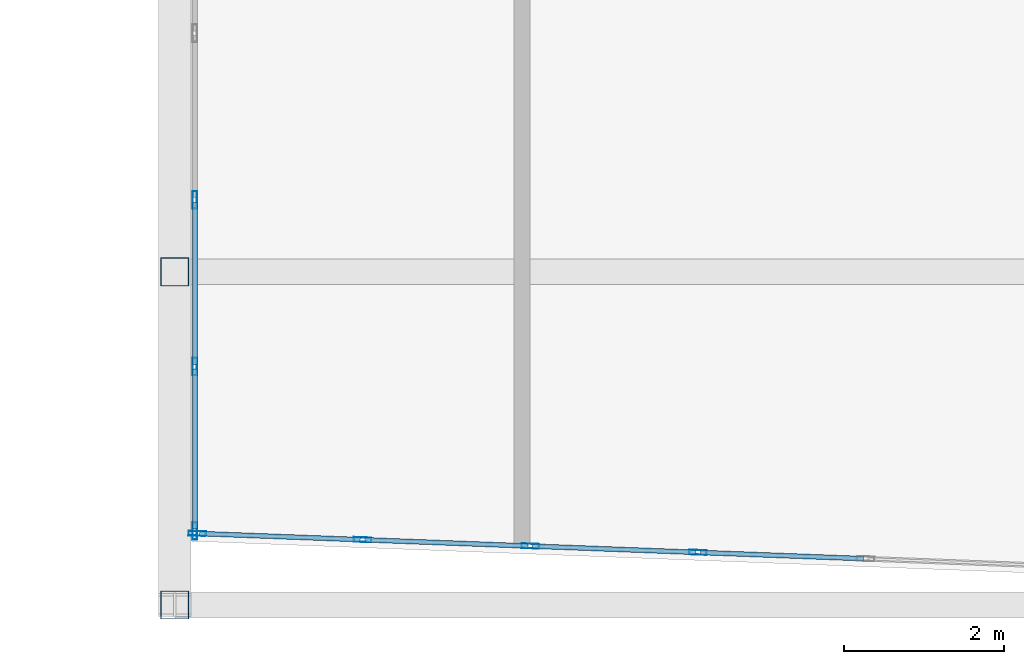
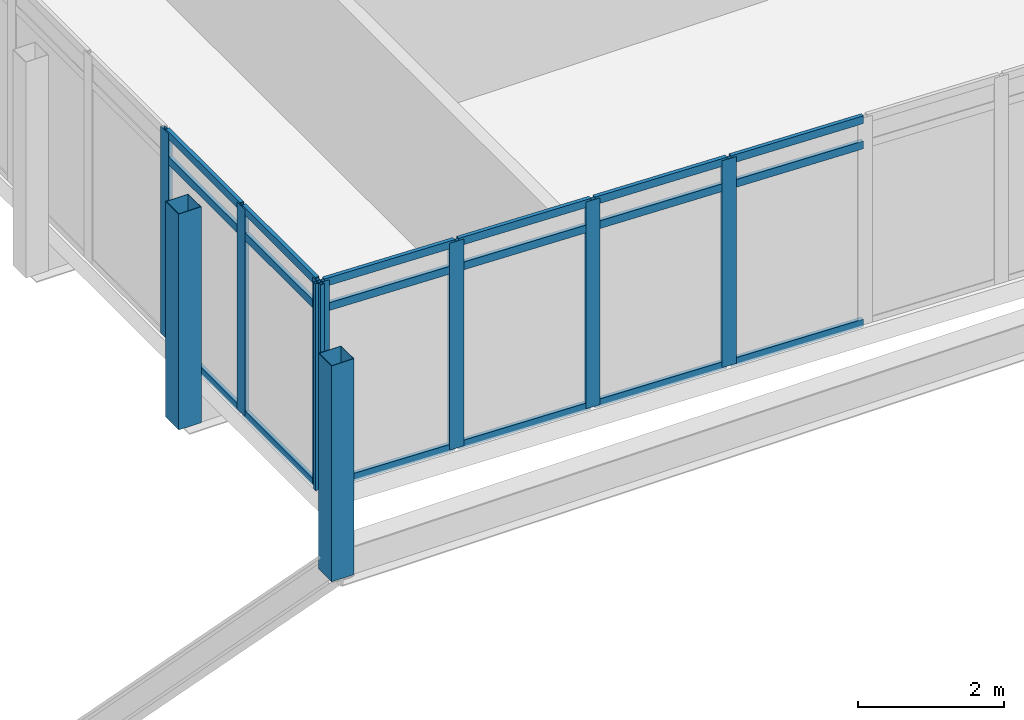
# One storey, part 2 of 34: 27 members, 2 elements without a shape of their own.
"""IFC4 building model written with IfcOpenShell, lengths in metres."""

from ifc_helpers import new_model, si_unit, direction, frame, origin, origin_2d, place, context, subcontext, project, spatial, hollow_rectangle, extrude, material, material_profile, profile_set, type_object, element, aggregate, save


model = new_model("IFC4")

# Units and contexts
model_context = context("Model", 3, precision=1e-05, world=origin(), true_north=direction((0.0, 1.0)))
body_context = subcontext(model_context, "Body", "Model", "MODEL_VIEW")
ifc_project = project(units=[si_unit("LENGTHUNIT", "METRE"), si_unit("AREAUNIT", "SQUARE_METRE"), si_unit("VOLUMEUNIT", "CUBIC_METRE"), si_unit("PLANEANGLEUNIT", "RADIAN"), si_unit("MASSUNIT", "GRAM", prefix="KILO")], contexts=[model_context])

# Site, building, storey
site_placement = place(None, origin())
site = spatial("IfcSite", under=ifc_project, at=site_placement, CompositionType="ELEMENT")
building_placement = place(site_placement, origin())
building = spatial("IfcBuilding", under=site, at=building_placement, Name="Ostrander Bayou Hotel Tower", CompositionType="ELEMENT")
storey_placement = place(building_placement, frame((0.0, 0.0, 222.0)))
storey = spatial("IfcBuildingStorey", under=building, at=storey_placement, Name="L55", CompositionType="ELEMENT", Elevation=222.0)

# Curtain wall, members
ifc_material_1 = material(Name="Aluminium and clear glass", Category="aluminium")
curtain_wall_type = type_object("IfcCurtainWallType", Name="CW-BAR glazed wall", PredefinedType="NOTDEFINED", material=ifc_material_1)
curtain_wall_1_placement = place(storey_placement, origin())
curtain_wall_1 = element("IfcCurtainWall", 1, at=curtain_wall_1_placement, inside=storey, type_object=curtain_wall_type, Name="CW-BAR L55:SB5S:E", PredefinedType="NOTDEFINED")
ifc_material_2 = material(Name="Aluminium", Category="aluminium")
ifc_material_profile_1 = material_profile(ifc_material_2, hollow_rectangle(XDim=0.06005859375, YDim=0.219970703125, WallThickness=0.00390625, at=origin_2d()))
ifc_profile_set_1 = profile_set([ifc_material_profile_1], Name="Aluminium")
member_type_1 = type_object("IfcMemberType", Name="CW-BR mullion 60 x 220 mm", PredefinedType="MULLION", material=ifc_profile_set_1)
member_1_placement = place(storey_placement, frame((-10.51220703125, -24.422607421875, 0.0), z_axis=(0.0, 0.0, 1.0), x_axis=(1.0, 0.0, 0.0)))
member_1 = element("IfcMember", 2, at=member_1_placement, type_object=member_type_1, Name="CW-BAR mullion 8", PredefinedType="MULLION", context=body_context, shape_type="SweptSolid", body=[
    extrude(hollow_rectangle(XDim=0.06005859375, YDim=0.219970703125, WallThickness=0.00390625, at=origin_2d()), origin(), (0.0, 0.0, 1.0), 3.449951171875),
])
member_2_placement = place(storey_placement, frame((-10.51220703125, -26.5126953125, 0.0), z_axis=(0.0, 0.0, 1.0), x_axis=(1.0, 0.0, 0.0)))
member_2 = element("IfcMember", 3, at=member_2_placement, type_object=member_type_1, Name="CW-BAR mullion 9", PredefinedType="MULLION", context=body_context, shape_type="SweptSolid", body=[
    extrude(hollow_rectangle(XDim=0.06005859375, YDim=0.219970703125, WallThickness=0.00390625, at=origin_2d()), origin(), (0.0, 0.0, 1.0), 3.449951171875),
])
member_3_placement = place(storey_placement, frame((-10.51220703125, -28.57275390625, 0.0), z_axis=(0.0, 0.0, 1.0), x_axis=(1.0, 0.0, 0.0)))
member_3 = element("IfcMember", 4, at=member_3_placement, type_object=member_type_1, Name="CW-BAR mullion 10", PredefinedType="MULLION", context=body_context, shape_type="SweptSolid", body=[
    extrude(hollow_rectangle(XDim=0.06005859375, YDim=0.219970703125, WallThickness=0.00390625, at=origin_2d()), origin(), (0.0, 0.0, 1.0), 3.449951171875),
])

curtain_wall_2_placement = place(storey_placement, origin())
curtain_wall_2 = element("IfcCurtainWall", 5, at=curtain_wall_2_placement, inside=storey, type_object=curtain_wall_type, Name="CW-BAR L55:SB5S:T", PredefinedType="NOTDEFINED")
member_4_placement = place(storey_placement, frame((-10.482177734375, -28.60400390625, 0.0), z_axis=(0.0, 0.0, 1.0), x_axis=(0.037757725854, 0.99928692283, 0.0)))
member_4 = element("IfcMember", 6, at=member_4_placement, type_object=member_type_1, Name="CW-BAR mullion 1", PredefinedType="MULLION", context=body_context, shape_type="SweptSolid", body=[
    extrude(hollow_rectangle(XDim=0.06005859375, YDim=0.219970703125, WallThickness=0.00390625, at=origin_2d()), origin(), (0.0, 0.0, 1.0), 3.449951171875),
])
member_5_placement = place(storey_placement, frame((-8.40966796875, -28.68212890625, 0.0), z_axis=(0.0, 0.0, 1.0), x_axis=(0.037757725854, 0.99928692283, 0.0)))
member_5 = element("IfcMember", 7, at=member_5_placement, type_object=member_type_1, Name="CW-BAR mullion 2", PredefinedType="MULLION", context=body_context, shape_type="SweptSolid", body=[
    extrude(hollow_rectangle(XDim=0.06005859375, YDim=0.219970703125, WallThickness=0.00390625, at=origin_2d()), origin(), (0.0, 0.0, 1.0), 3.449951171875),
])
member_6_placement = place(storey_placement, frame((-6.307373046875, -28.76171875, 0.0), z_axis=(0.0, 0.0, 1.0), x_axis=(0.037757725854, 0.99928692283, 0.0)))
member_6 = element("IfcMember", 8, at=member_6_placement, type_object=member_type_1, Name="CW-BAR mullion 3", PredefinedType="MULLION", context=body_context, shape_type="SweptSolid", body=[
    extrude(hollow_rectangle(XDim=0.06005859375, YDim=0.219970703125, WallThickness=0.00390625, at=origin_2d()), origin(), (0.0, 0.0, 1.0), 3.449951171875),
])
member_7_placement = place(storey_placement, frame((-4.204833984375, -28.841064453125, 0.0), z_axis=(0.0, 0.0, 1.0), x_axis=(0.037757725854, 0.99928692283, 0.0)))
member_7 = element("IfcMember", 9, at=member_7_placement, type_object=member_type_1, Name="CW-BAR mullion 4", PredefinedType="MULLION", context=body_context, shape_type="SweptSolid", body=[
    extrude(hollow_rectangle(XDim=0.06005859375, YDim=0.219970703125, WallThickness=0.00390625, at=origin_2d()), origin(), (0.0, 0.0, 1.0), 3.449951171875),
])

# Member
ifc_material_3 = material(Name="Aluminium", Category="aluminium")
ifc_material_profile_2 = material_profile(ifc_material_3, hollow_rectangle(XDim=0.06005859375, YDim=0.1298828125, WallThickness=0.00390625, at=origin_2d()))
ifc_profile_set_2 = profile_set([ifc_material_profile_2], Name="Aluminium")
member_type_2 = type_object("IfcMemberType", Name="CW-BR transom 60 x 130 mm", PredefinedType="USERDEFINED", material=ifc_profile_set_2)
member_8_placement = place(storey_placement, frame((-10.51220703125, -24.45263671875, 0.030029296875), z_axis=(0.0, -1.0, 0.0), x_axis=(1.0, 0.0, 0.0)))
member_8 = element("IfcMember", 10, at=member_8_placement, type_object=member_type_2, Name="CW-BAR transom 8.1", ObjectType="TRANSOM", PredefinedType="USERDEFINED", context=body_context, shape_type="SweptSolid", body=[
    extrude(hollow_rectangle(XDim=0.06005859375, YDim=0.1298828125, WallThickness=0.00390625, at=origin_2d()), origin(), (0.0, 0.0, 1.0), 2.030029296875),
])

member_9_placement = place(storey_placement, frame((-10.51220703125, -24.45263671875, 3.0), z_axis=(0.0, -1.0, 0.0), x_axis=(1.0, 0.0, 0.0)))
member_9 = element("IfcMember", 11, at=member_9_placement, type_object=member_type_2, Name="CW-BAR transom 8.2", ObjectType="TRANSOM", PredefinedType="USERDEFINED", context=body_context, shape_type="SweptSolid", body=[
    extrude(hollow_rectangle(XDim=0.06005859375, YDim=0.1298828125, WallThickness=0.00390625, at=origin_2d()), origin(), (0.0, 0.0, 1.0), 2.030029296875),
])

member_10_placement = place(storey_placement, frame((-10.51220703125, -24.45263671875, 3.419921875), z_axis=(0.0, -1.0, 0.0), x_axis=(1.0, 0.0, 0.0)))
member_10 = element("IfcMember", 12, at=member_10_placement, type_object=member_type_2, Name="CW-BAR transom 8.3", ObjectType="TRANSOM", PredefinedType="USERDEFINED", context=body_context, shape_type="SweptSolid", body=[
    extrude(hollow_rectangle(XDim=0.06005859375, YDim=0.1298828125, WallThickness=0.00390625, at=origin_2d()), origin(), (0.0, 0.0, 1.0), 2.030029296875),
])

member_11_placement = place(storey_placement, frame((-10.51220703125, -26.542724609375, 0.030029296875), z_axis=(0.0, -1.0, 0.0), x_axis=(1.0, 0.0, 0.0)))
member_11 = element("IfcMember", 13, at=member_11_placement, type_object=member_type_2, Name="CW-BAR transom 9.1", ObjectType="TRANSOM", PredefinedType="USERDEFINED", context=body_context, shape_type="SweptSolid", body=[
    extrude(hollow_rectangle(XDim=0.06005859375, YDim=0.1298828125, WallThickness=0.00390625, at=origin_2d()), origin(), (0.0, 0.0, 1.0), 2.0),
])

member_12_placement = place(storey_placement, frame((-10.51220703125, -26.542724609375, 3.0), z_axis=(0.0, -1.0, 0.0), x_axis=(1.0, 0.0, 0.0)))
member_12 = element("IfcMember", 14, at=member_12_placement, type_object=member_type_2, Name="CW-BAR transom 9.2", ObjectType="TRANSOM", PredefinedType="USERDEFINED", context=body_context, shape_type="SweptSolid", body=[
    extrude(hollow_rectangle(XDim=0.06005859375, YDim=0.1298828125, WallThickness=0.00390625, at=origin_2d()), origin(), (0.0, 0.0, 1.0), 2.0),
])

member_13_placement = place(storey_placement, frame((-10.51220703125, -26.542724609375, 3.419921875), z_axis=(0.0, -1.0, 0.0), x_axis=(1.0, 0.0, 0.0)))
member_13 = element("IfcMember", 15, at=member_13_placement, type_object=member_type_2, Name="CW-BAR transom 9.3", ObjectType="TRANSOM", PredefinedType="USERDEFINED", context=body_context, shape_type="SweptSolid", body=[
    extrude(hollow_rectangle(XDim=0.06005859375, YDim=0.1298828125, WallThickness=0.00390625, at=origin_2d()), origin(), (0.0, 0.0, 1.0), 2.0),
])

aggregate(curtain_wall_1, [member_1, member_2, member_3, member_8, member_9, member_10, member_11, member_12, member_13])

member_14_placement = place(storey_placement, frame((-10.4521484375, -28.60498046875, 0.030029296875), z_axis=(0.999284446259, -0.0378232133, 0.0), x_axis=(0.0378232133, 0.999284446259, 0.0)))
member_14 = element("IfcMember", 16, at=member_14_placement, type_object=member_type_2, Name="CW-BAR transom 1.1", ObjectType="TRANSOM", PredefinedType="USERDEFINED", context=body_context, shape_type="SweptSolid", body=[
    extrude(hollow_rectangle(XDim=0.06005859375, YDim=0.1298828125, WallThickness=0.00390625, at=origin_2d()), origin(), (0.0, 0.0, 1.0), 2.013916015625),
])

member_15_placement = place(storey_placement, frame((-10.4521484375, -28.60498046875, 3.0), z_axis=(0.999284446259, -0.0378232133, 0.0), x_axis=(0.0378232133, 0.999284446259, 0.0)))
member_15 = element("IfcMember", 17, at=member_15_placement, type_object=member_type_2, Name="CW-BAR transom 1.2", ObjectType="TRANSOM", PredefinedType="USERDEFINED", context=body_context, shape_type="SweptSolid", body=[
    extrude(hollow_rectangle(XDim=0.06005859375, YDim=0.1298828125, WallThickness=0.00390625, at=origin_2d()), origin(), (0.0, 0.0, 1.0), 2.013916015625),
])

member_16_placement = place(storey_placement, frame((-10.4521484375, -28.60498046875, 3.419921875), z_axis=(0.999284446259, -0.0378232133, 0.0), x_axis=(0.0378232133, 0.999284446259, 0.0)))
member_16 = element("IfcMember", 18, at=member_16_placement, type_object=member_type_2, Name="CW-BAR transom 1.3", ObjectType="TRANSOM", PredefinedType="USERDEFINED", context=body_context, shape_type="SweptSolid", body=[
    extrude(hollow_rectangle(XDim=0.06005859375, YDim=0.1298828125, WallThickness=0.00390625, at=origin_2d()), origin(), (0.0, 0.0, 1.0), 2.013916015625),
])

member_17_placement = place(storey_placement, frame((-8.3798828125, -28.683349609375, 0.030029296875), z_axis=(0.999287402917, -0.037745017849, 0.0), x_axis=(0.037745017849, 0.999287402917, 0.0)))
member_17 = element("IfcMember", 19, at=member_17_placement, type_object=member_type_2, Name="CW-BAR transom 2.1", ObjectType="TRANSOM", PredefinedType="USERDEFINED", context=body_context, shape_type="SweptSolid", body=[
    extrude(hollow_rectangle(XDim=0.06005859375, YDim=0.1298828125, WallThickness=0.00390625, at=origin_2d()), origin(), (0.0, 0.0, 1.0), 2.0439453125),
])

member_18_placement = place(storey_placement, frame((-8.3798828125, -28.683349609375, 3.0), z_axis=(0.999287402917, -0.037745017849, 0.0), x_axis=(0.037745017849, 0.999287402917, 0.0)))
member_18 = element("IfcMember", 20, at=member_18_placement, type_object=member_type_2, Name="CW-BAR transom 2.2", ObjectType="TRANSOM", PredefinedType="USERDEFINED", context=body_context, shape_type="SweptSolid", body=[
    extrude(hollow_rectangle(XDim=0.06005859375, YDim=0.1298828125, WallThickness=0.00390625, at=origin_2d()), origin(), (0.0, 0.0, 1.0), 2.0439453125),
])

member_19_placement = place(storey_placement, frame((-8.3798828125, -28.683349609375, 3.419921875), z_axis=(0.999287402917, -0.037745017849, 0.0), x_axis=(0.037745017849, 0.999287402917, 0.0)))
member_19 = element("IfcMember", 21, at=member_19_placement, type_object=member_type_2, Name="CW-BAR transom 2.3", ObjectType="TRANSOM", PredefinedType="USERDEFINED", context=body_context, shape_type="SweptSolid", body=[
    extrude(hollow_rectangle(XDim=0.06005859375, YDim=0.1298828125, WallThickness=0.00390625, at=origin_2d()), origin(), (0.0, 0.0, 1.0), 2.0439453125),
])

member_20_placement = place(storey_placement, frame((-6.27734375, -28.7626953125, 0.030029296875), z_axis=(0.99928289053, -0.037864293127, 0.0), x_axis=(0.037864293127, 0.99928289053, 0.0)))
member_20 = element("IfcMember", 22, at=member_20_placement, type_object=member_type_2, Name="CW-BAR transom 3.1", ObjectType="TRANSOM", PredefinedType="USERDEFINED", context=body_context, shape_type="SweptSolid", body=[
    extrude(hollow_rectangle(XDim=0.06005859375, YDim=0.1298828125, WallThickness=0.00390625, at=origin_2d()), origin(), (0.0, 0.0, 1.0), 2.0439453125),
])

member_21_placement = place(storey_placement, frame((-6.27734375, -28.7626953125, 3.0), z_axis=(0.99928289053, -0.037864293127, 0.0), x_axis=(0.037864293127, 0.99928289053, 0.0)))
member_21 = element("IfcMember", 23, at=member_21_placement, type_object=member_type_2, Name="CW-BAR transom 3.2", ObjectType="TRANSOM", PredefinedType="USERDEFINED", context=body_context, shape_type="SweptSolid", body=[
    extrude(hollow_rectangle(XDim=0.06005859375, YDim=0.1298828125, WallThickness=0.00390625, at=origin_2d()), origin(), (0.0, 0.0, 1.0), 2.0439453125),
])

member_22_placement = place(storey_placement, frame((-6.27734375, -28.7626953125, 3.419921875), z_axis=(0.99928289053, -0.037864293127, 0.0), x_axis=(0.037864293127, 0.99928289053, 0.0)))
member_22 = element("IfcMember", 24, at=member_22_placement, type_object=member_type_2, Name="CW-BAR transom 3.3", ObjectType="TRANSOM", PredefinedType="USERDEFINED", context=body_context, shape_type="SweptSolid", body=[
    extrude(hollow_rectangle(XDim=0.06005859375, YDim=0.1298828125, WallThickness=0.00390625, at=origin_2d()), origin(), (0.0, 0.0, 1.0), 2.0439453125),
])

member_23_placement = place(storey_placement, frame((-4.1748046875, -28.84228515625, 0.030029296875), z_axis=(0.999287402917, -0.037745017849, 0.0), x_axis=(0.037745017849, 0.999287402917, 0.0)))
member_23 = element("IfcMember", 25, at=member_23_placement, type_object=member_type_2, Name="CW-BAR transom 4.1", ObjectType="TRANSOM", PredefinedType="USERDEFINED", context=body_context, shape_type="SweptSolid", body=[
    extrude(hollow_rectangle(XDim=0.06005859375, YDim=0.1298828125, WallThickness=0.00390625, at=origin_2d()), origin(), (0.0, 0.0, 1.0), 2.0439453125),
])

member_24_placement = place(storey_placement, frame((-4.1748046875, -28.84228515625, 3.0), z_axis=(0.999287402917, -0.037745017849, 0.0), x_axis=(0.037745017849, 0.999287402917, 0.0)))
member_24 = element("IfcMember", 26, at=member_24_placement, type_object=member_type_2, Name="CW-BAR transom 4.2", ObjectType="TRANSOM", PredefinedType="USERDEFINED", context=body_context, shape_type="SweptSolid", body=[
    extrude(hollow_rectangle(XDim=0.06005859375, YDim=0.1298828125, WallThickness=0.00390625, at=origin_2d()), origin(), (0.0, 0.0, 1.0), 2.0439453125),
])

member_25_placement = place(storey_placement, frame((-4.1748046875, -28.84228515625, 3.419921875), z_axis=(0.999287402917, -0.037745017849, 0.0), x_axis=(0.037745017849, 0.999287402917, 0.0)))
member_25 = element("IfcMember", 27, at=member_25_placement, type_object=member_type_2, Name="CW-BAR transom 4.3", ObjectType="TRANSOM", PredefinedType="USERDEFINED", context=body_context, shape_type="SweptSolid", body=[
    extrude(hollow_rectangle(XDim=0.06005859375, YDim=0.1298828125, WallThickness=0.00390625, at=origin_2d()), origin(), (0.0, 0.0, 1.0), 2.0439453125),
])

aggregate(curtain_wall_2, [member_4, member_5, member_6, member_7, member_14, member_15, member_16, member_17, member_18, member_19, member_20, member_21, member_22, member_23, member_24, member_25])

# Members
ifc_material_4 = material(Name="Steel ASTM A500 Gr C", Category="steel")
ifc_material_profile_3 = material_profile(ifc_material_4, hollow_rectangle(XDim=0.355712890625, YDim=0.355712890625, WallThickness=0.0087890625, at=origin_2d()))
ifc_profile_set_3 = profile_set([ifc_material_profile_3], Name="Steel ASTM A500 Gr C")
member_type_3 = type_object("IfcMemberType", Name="TH3 bar hanger HSS14x14x3/8", PredefinedType="POST", material=ifc_profile_set_3)
for number, where, z_axis, x_axis, name in (
    (28, (-10.764892578125, -25.32373046875, -0.760986328125), (0.0, 0.0, 1.0), (1.0, 0.0, 0.0), "TH3 SB5SA H2-1"),
    (29, (-10.764892578125, -29.5, -0.760986328125), (0.0, 0.0, 1.0), (1.0, 0.0, 0.0), "TH3 SB5SA H3-1"),
):
    element("IfcMember", number, at=place(storey_placement, frame(where, z_axis=z_axis, x_axis=x_axis)), inside=storey, type_object=member_type_3, Name=name, PredefinedType="POST", context=body_context, shape_type="SweptSolid", body=[
        extrude(hollow_rectangle(XDim=0.355712890625, YDim=0.355712890625, WallThickness=0.0087890625, at=origin_2d()), origin(), (0.0, 0.0, 1.0), 3.599853515625),
    ])

save(model, "model.ifc")
